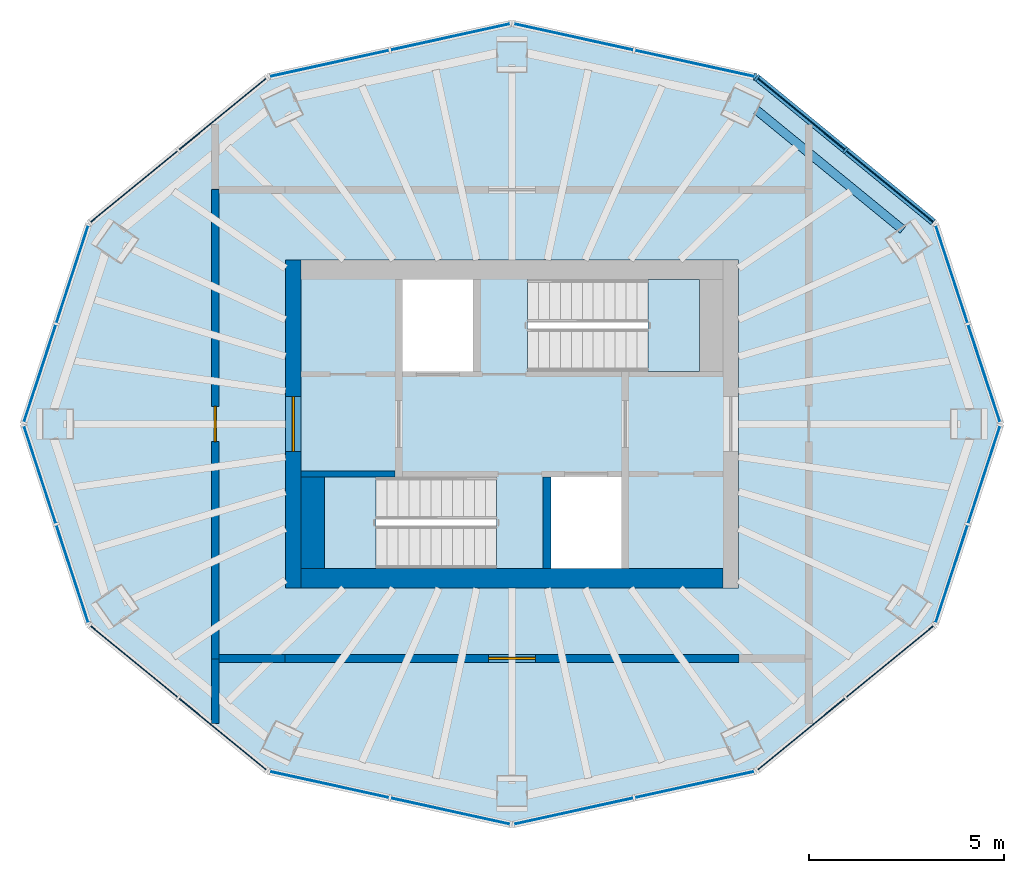
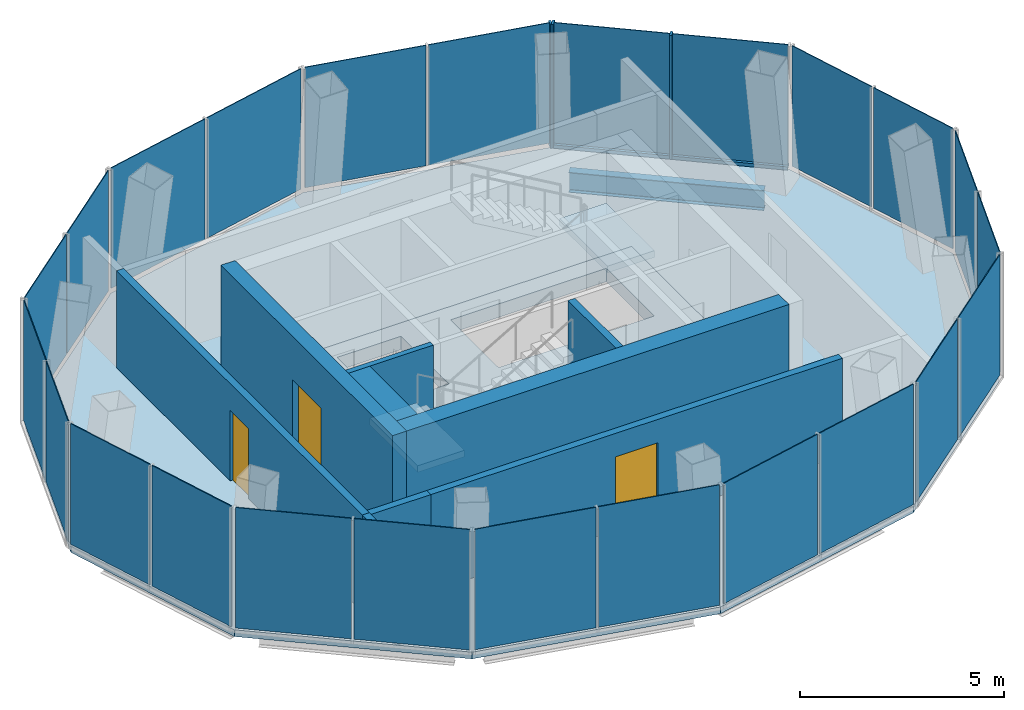
# One storey, part 3 of 5: 24 plates, 9 walls, 5 members, 4 slabs, 3 doors, 1 beam, 3 openings, 14 elements without a shape of their own.
"""IFC4 building model written with IfcOpenShell, lengths in metres."""

from ifc_helpers import new_model, si_unit, direction, frame, frame_2d, origin, origin_2d, place, context, subcontext, project, spatial, polyline, rectangle, i_section, outline, extrude, material, layer, layer_set, material_profile, profile_set, type_object, element, fill, aggregate, save


model = new_model("IFC4")

# Units and contexts
model_context = context("Model", 3, precision=1e-05, world=origin(), true_north=direction((0.0, 1.0)))
body_context = subcontext(model_context, "Body", "Model", "MODEL_VIEW")
ifc_project = project(units=[si_unit("LENGTHUNIT", "METRE"), si_unit("AREAUNIT", "SQUARE_METRE"), si_unit("VOLUMEUNIT", "CUBIC_METRE"), si_unit("PLANEANGLEUNIT", "RADIAN"), si_unit("MASSUNIT", "GRAM", prefix="KILO")], contexts=[model_context])

# Site, building, storey
site_placement = place(None, origin())
site = spatial("IfcSite", under=ifc_project, at=site_placement, CompositionType="ELEMENT")
building_placement = place(site_placement, origin())
building = spatial("IfcBuilding", under=site, at=building_placement, Name="Siaravel Broadcast Tower", CompositionType="ELEMENT")
storey_placement = place(building_placement, frame((0.0, 0.0, 276.5)))
storey = spatial("IfcBuildingStorey", under=building, at=storey_placement, Name="L67", CompositionType="ELEMENT", Elevation=276.5)

# Curtain wall, members
ifc_material_1 = material(Name="Aluminium 6063-T6", Category="aluminium")
ifc_layer_1 = layer(ifc_material_1, 0.179931640625)
ifc_layer_set_1 = layer_set([ifc_layer_1], Name="Aluminium 6063-T6")
curtain_wall_type = type_object("IfcCurtainWallType", Name="Crown glass facet wall", PredefinedType="NOTDEFINED", material=ifc_layer_set_1)
curtain_wall_1_placement = place(storey_placement, origin())
curtain_wall_1 = element("IfcCurtainWall", 1, at=curtain_wall_1_placement, inside=storey, type_object=curtain_wall_type, Name="L67 Crown glass facet wall 02", PredefinedType="NOTDEFINED")
ifc_material_profile_1 = material_profile(ifc_material_1, rectangle(XDim=0.179931640625, YDim=0.06005859375, at=origin_2d()))
ifc_profile_set_1 = profile_set([ifc_material_profile_1], Name="Aluminium 6063-T6")
member_type_1 = type_object("IfcMemberType", Name="CW-CR mullion", PredefinedType="MULLION", material=ifc_profile_set_1)
member_1_placement = place(storey_placement, frame((8.543212890625, 7.00927734375, 0.0), z_axis=(0.0, 0.0, 1.0), x_axis=(-0.6337126, -0.773568575, 0.0)))
member_1 = element("IfcMember", 2, at=member_1_placement, type_object=member_type_1, Name="CW-CR mullion 2", PredefinedType="MULLION", context=body_context, shape_type="SweptSolid", body=[
    extrude(rectangle(XDim=0.179931640625, YDim=0.06005859375, at=origin_2d()), origin(), (0.0, 0.0, 1.0), 3.699951171875),
])
member_2_placement = place(storey_placement, frame((6.27587890625, 8.86669921875, 0.0), z_axis=(0.0, 0.0, 1.0), x_axis=(-0.6337126, -0.773568575, 0.0)))
member_2 = element("IfcMember", 3, at=member_2_placement, type_object=member_type_1, Name="CW-CR mullion 3", PredefinedType="MULLION", context=body_context, shape_type="SweptSolid", body=[
    extrude(rectangle(XDim=0.179931640625, YDim=0.06005859375, at=origin_2d()), origin(), (0.0, 0.0, 1.0), 3.699951171875),
])

# Curtain wall, member
curtain_wall_2_placement = place(storey_placement, origin())
curtain_wall_2 = element("IfcCurtainWall", 4, at=curtain_wall_2_placement, inside=storey, type_object=curtain_wall_type, Name="L67 Crown glass facet wall 03", PredefinedType="NOTDEFINED")
member_3_placement = place(storey_placement, frame((6.223388671875, 8.89208984375, 0.0), z_axis=(0.0, 0.0, 1.0), x_axis=(-0.214394106, -0.976747238, 0.0)))
member_3 = element("IfcMember", 5, at=member_3_placement, type_object=member_type_1, Name="CW-CR mullion 1", PredefinedType="MULLION", context=body_context, shape_type="SweptSolid", body=[
    extrude(rectangle(XDim=0.179931640625, YDim=0.06005859375, at=origin_2d()), origin(), (0.0, 0.0, 1.0), 3.699951171875),
])

# Member
ifc_material_profile_2 = material_profile(ifc_material_1, rectangle(XDim=0.179931640625, YDim=0.10009765625, at=origin_2d()))
ifc_profile_set_2 = profile_set([ifc_material_profile_2], Name="Aluminium 6063-T6")
member_type_2 = type_object("IfcMemberType", Name="CW-CR transom", PredefinedType="USERDEFINED", material=ifc_profile_set_2)
member_4_placement = place(storey_placement, frame((10.787353515625, 5.1708984375, 0.050048828125), z_axis=(-0.773582074, 0.633696121, 0.0), x_axis=(-0.633696121, -0.773582074, 0.0)))
member_4 = element("IfcMember", 6, at=member_4_placement, type_object=member_type_2, Name="CW-CR transom 1", ObjectType="TRANSOM", PredefinedType="USERDEFINED", context=body_context, shape_type="SweptSolid", body=[
    extrude(rectangle(XDim=0.179931640625, YDim=0.10009765625, at=origin_2d()), origin(), (0.0, 0.0, 1.0), 2.87109375),
])

member_5_placement = place(storey_placement, frame((8.52001953125, 7.0283203125, 0.050048828125), z_axis=(-0.773582074, 0.633696121, 0.0), x_axis=(-0.633696121, -0.773582074, 0.0)))
member_5 = element("IfcMember", 7, at=member_5_placement, type_object=member_type_2, Name="CW-CR transom 2", ObjectType="TRANSOM", PredefinedType="USERDEFINED", context=body_context, shape_type="SweptSolid", body=[
    extrude(rectangle(XDim=0.179931640625, YDim=0.10009765625, at=origin_2d()), origin(), (0.0, 0.0, 1.0), 2.87109375),
])

# Beam
ifc_material_2 = material(Name="Steel S355", Category="steel")
ifc_material_profile_3 = material_profile(ifc_material_2, i_section(OverallWidth=0.2275390625, OverallDepth=0.6025390625, WebThickness=0.010498046875, FlangeThickness=0.014892578125, FilletRadius=0.0126953125, at=origin_2d()))
ifc_profile_set_3 = profile_set([ifc_material_profile_3], Name="Steel S355")
beam_type = type_object("IfcBeamType", Name="Crown ring beam UB 610x229x101", PredefinedType="SPANDREL", material=ifc_profile_set_3)
beam_placement = place(storey_placement, frame((10.009033203125, 4.97314453125, -0.501220703125), z_axis=(-0.774123525, 0.633034571, 0.0), x_axis=(-0.633034571, -0.774123525, 0.0)))
element("IfcBeam", 8, at=beam_placement, inside=storey, type_object=beam_type, Name="Crown ring beam 2-02", PredefinedType="SPANDREL", context=body_context, shape_type="SweptSolid", body=[
    extrude(i_section(OverallWidth=0.2275390625, OverallDepth=0.6025390625, WebThickness=0.010498046875, FlangeThickness=0.014892578125, FilletRadius=0.0126953125, at=origin_2d()), origin(), (0.0, 0.0, 1.0), 4.841552734375),
])

# Curtain wall, plates
curtain_wall_3_placement = place(storey_placement, origin())
curtain_wall_3 = element("IfcCurtainWall", 9, at=curtain_wall_3_placement, inside=storey, type_object=curtain_wall_type, Name="L67 Crown glass facet wall 01", PredefinedType="NOTDEFINED")
ifc_material_3 = material(Name="Low-iron laminated glass", Category="glass")
ifc_layer_2 = layer(ifc_material_3, 0.02392578125)
ifc_layer_set_2 = layer_set([ifc_layer_2], Name="Low-iron laminated glass")
plate_type = type_object("IfcPlateType", Name="CW-CR glass panel", PredefinedType="CURTAIN_PANEL", material=ifc_layer_set_2)
plate_1_placement = place(storey_placement, frame((12.088134765625, 1.297607421875, 0.099853515625), z_axis=(0.0, 0.0, 1.0), x_axis=(-0.310860089, 0.950455683, 0.0)))
plate_1 = element("IfcPlate", 10, at=plate_1_placement, type_object=plate_type, Name="CW-CR glass panel", PredefinedType="CURTAIN_PANEL", context=body_context, shape_type="SweptSolid", body=[
    extrude(rectangle(XDim=2.610107421875, YDim=0.02392578125, at=origin_2d()), origin(), (0.0, 0.0, 1.0), 3.60009765625),
])
plate_2_placement = place(storey_placement, frame((11.258056640625, 3.83544921875, 0.099853515625), z_axis=(0.0, 0.0, 1.0), x_axis=(-0.310860089, 0.950455683, 0.0)))
plate_2 = element("IfcPlate", 11, at=plate_2_placement, type_object=plate_type, Name="CW-CR glass panel", PredefinedType="CURTAIN_PANEL", context=body_context, shape_type="SweptSolid", body=[
    extrude(rectangle(XDim=2.610107421875, YDim=0.02392578125, at=origin_2d()), origin(), (0.0, 0.0, 1.0), 3.60009765625),
])
aggregate(curtain_wall_3, [plate_1, plate_2])

# Plate
plate_3_placement = place(storey_placement, frame((9.6767578125, 6.08056640625, 0.099853515625), z_axis=(0.0, 0.0, 1.0), x_axis=(-0.773568575, 0.6337126, 0.0)))
plate_3 = element("IfcPlate", 12, at=plate_3_placement, type_object=plate_type, Name="CW-CR glass panel", PredefinedType="CURTAIN_PANEL", context=body_context, shape_type="SweptSolid", body=[
    extrude(rectangle(XDim=2.87109375, YDim=0.02392578125, at=origin_2d()), origin(), (0.0, 0.0, 1.0), 3.60009765625),
])

plate_4_placement = place(storey_placement, frame((7.409423828125, 7.93798828125, 0.099853515625), z_axis=(0.0, 0.0, 1.0), x_axis=(-0.773568575, 0.6337126, 0.0)))
plate_4 = element("IfcPlate", 13, at=plate_4_placement, type_object=plate_type, Name="CW-CR glass panel", PredefinedType="CURTAIN_PANEL", context=body_context, shape_type="SweptSolid", body=[
    extrude(rectangle(XDim=2.87109375, YDim=0.02392578125, at=origin_2d()), origin(), (0.0, 0.0, 1.0), 3.60009765625),
])

aggregate(curtain_wall_1, [member_1, member_2, member_4, plate_3, member_5, plate_4])

plate_5_placement = place(storey_placement, frame((4.6748046875, 9.232177734375, 0.099853515625), z_axis=(0.0, 0.0, 1.0), x_axis=(-0.976747238, 0.214394106, 0.0)))
plate_5 = element("IfcPlate", 14, at=plate_5_placement, type_object=plate_type, Name="CW-CR glass panel", PredefinedType="CURTAIN_PANEL", context=body_context, shape_type="SweptSolid", body=[
    extrude(rectangle(XDim=3.110595703125, YDim=0.02392578125, at=origin_2d()), origin(), (0.0, 0.0, 1.0), 3.60009765625),
])

plate_6_placement = place(storey_placement, frame((1.577880859375, 9.911865234375, 0.099853515625), z_axis=(0.0, 0.0, 1.0), x_axis=(-0.976747238, 0.214394106, 0.0)))
plate_6 = element("IfcPlate", 15, at=plate_6_placement, type_object=plate_type, Name="CW-CR glass panel", PredefinedType="CURTAIN_PANEL", context=body_context, shape_type="SweptSolid", body=[
    extrude(rectangle(XDim=3.110595703125, YDim=0.02392578125, at=origin_2d()), origin(), (0.0, 0.0, 1.0), 3.60009765625),
])

aggregate(curtain_wall_2, [member_3, plate_5, plate_6])

# Curtain wall, plates
curtain_wall_4_placement = place(storey_placement, origin())
curtain_wall_4 = element("IfcCurtainWall", 16, at=curtain_wall_4_placement, inside=storey, type_object=curtain_wall_type, Name="L67 Crown glass facet wall 04", PredefinedType="NOTDEFINED")
plate_7_placement = place(storey_placement, frame((-1.577880859375, 9.911865234375, 0.099853515625), z_axis=(0.0, 0.0, 1.0), x_axis=(-0.976747238, -0.214394106, 0.0)))
plate_7 = element("IfcPlate", 17, at=plate_7_placement, type_object=plate_type, Name="CW-CR glass panel", PredefinedType="CURTAIN_PANEL", context=body_context, shape_type="SweptSolid", body=[
    extrude(rectangle(XDim=3.110595703125, YDim=0.02392578125, at=origin_2d()), origin(), (0.0, 0.0, 1.0), 3.60009765625),
])
plate_8_placement = place(storey_placement, frame((-4.6748046875, 9.232177734375, 0.099853515625), z_axis=(0.0, 0.0, 1.0), x_axis=(-0.976747238, -0.214394106, 0.0)))
plate_8 = element("IfcPlate", 18, at=plate_8_placement, type_object=plate_type, Name="CW-CR glass panel", PredefinedType="CURTAIN_PANEL", context=body_context, shape_type="SweptSolid", body=[
    extrude(rectangle(XDim=3.110595703125, YDim=0.02392578125, at=origin_2d()), origin(), (0.0, 0.0, 1.0), 3.60009765625),
])
aggregate(curtain_wall_4, [plate_7, plate_8])

curtain_wall_5_placement = place(storey_placement, origin())
curtain_wall_5 = element("IfcCurtainWall", 19, at=curtain_wall_5_placement, inside=storey, type_object=curtain_wall_type, Name="L67 Crown glass facet wall 05", PredefinedType="NOTDEFINED")
plate_9_placement = place(storey_placement, frame((-7.409423828125, 7.93798828125, 0.099853515625), z_axis=(0.0, 0.0, 1.0), x_axis=(-0.773568575, -0.6337126, 0.0)))
plate_9 = element("IfcPlate", 20, at=plate_9_placement, type_object=plate_type, Name="CW-CR glass panel", PredefinedType="CURTAIN_PANEL", context=body_context, shape_type="SweptSolid", body=[
    extrude(rectangle(XDim=2.87109375, YDim=0.02392578125, at=origin_2d()), origin(), (0.0, 0.0, 1.0), 3.60009765625),
])
plate_10_placement = place(storey_placement, frame((-9.6767578125, 6.08056640625, 0.099853515625), z_axis=(0.0, 0.0, 1.0), x_axis=(-0.773568575, -0.6337126, 0.0)))
plate_10 = element("IfcPlate", 21, at=plate_10_placement, type_object=plate_type, Name="CW-CR glass panel", PredefinedType="CURTAIN_PANEL", context=body_context, shape_type="SweptSolid", body=[
    extrude(rectangle(XDim=2.87109375, YDim=0.02392578125, at=origin_2d()), origin(), (0.0, 0.0, 1.0), 3.60009765625),
])
aggregate(curtain_wall_5, [plate_9, plate_10])

curtain_wall_6_placement = place(storey_placement, origin())
curtain_wall_6 = element("IfcCurtainWall", 22, at=curtain_wall_6_placement, inside=storey, type_object=curtain_wall_type, Name="L67 Crown glass facet wall 06", PredefinedType="NOTDEFINED")
plate_11_placement = place(storey_placement, frame((-11.258056640625, 3.83544921875, 0.099853515625), z_axis=(0.0, 0.0, 1.0), x_axis=(-0.310860089, -0.950455683, 0.0)))
plate_11 = element("IfcPlate", 23, at=plate_11_placement, type_object=plate_type, Name="CW-CR glass panel", PredefinedType="CURTAIN_PANEL", context=body_context, shape_type="SweptSolid", body=[
    extrude(rectangle(XDim=2.610107421875, YDim=0.02392578125, at=origin_2d()), origin(), (0.0, 0.0, 1.0), 3.60009765625),
])
plate_12_placement = place(storey_placement, frame((-12.088134765625, 1.297607421875, 0.099853515625), z_axis=(0.0, 0.0, 1.0), x_axis=(-0.310860089, -0.950455683, 0.0)))
plate_12 = element("IfcPlate", 24, at=plate_12_placement, type_object=plate_type, Name="CW-CR glass panel", PredefinedType="CURTAIN_PANEL", context=body_context, shape_type="SweptSolid", body=[
    extrude(rectangle(XDim=2.610107421875, YDim=0.02392578125, at=origin_2d()), origin(), (0.0, 0.0, 1.0), 3.60009765625),
])
aggregate(curtain_wall_6, [plate_11, plate_12])

curtain_wall_7_placement = place(storey_placement, origin())
curtain_wall_7 = element("IfcCurtainWall", 25, at=curtain_wall_7_placement, inside=storey, type_object=curtain_wall_type, Name="L67 Crown glass facet wall 07", PredefinedType="NOTDEFINED")
plate_13_placement = place(storey_placement, frame((-12.088134765625, -1.297607421875, 0.099853515625), z_axis=(0.0, 0.0, 1.0), x_axis=(0.310860089, -0.950455683, 0.0)))
plate_13 = element("IfcPlate", 26, at=plate_13_placement, type_object=plate_type, Name="CW-CR glass panel", PredefinedType="CURTAIN_PANEL", context=body_context, shape_type="SweptSolid", body=[
    extrude(rectangle(XDim=2.610107421875, YDim=0.02392578125, at=origin_2d()), origin(), (0.0, 0.0, 1.0), 3.60009765625),
])
plate_14_placement = place(storey_placement, frame((-11.258056640625, -3.83544921875, 0.099853515625), z_axis=(0.0, 0.0, 1.0), x_axis=(0.310860089, -0.950455683, 0.0)))
plate_14 = element("IfcPlate", 27, at=plate_14_placement, type_object=plate_type, Name="CW-CR glass panel", PredefinedType="CURTAIN_PANEL", context=body_context, shape_type="SweptSolid", body=[
    extrude(rectangle(XDim=2.610107421875, YDim=0.02392578125, at=origin_2d()), origin(), (0.0, 0.0, 1.0), 3.60009765625),
])
aggregate(curtain_wall_7, [plate_13, plate_14])

curtain_wall_8_placement = place(storey_placement, origin())
curtain_wall_8 = element("IfcCurtainWall", 28, at=curtain_wall_8_placement, inside=storey, type_object=curtain_wall_type, Name="L67 Crown glass facet wall 08", PredefinedType="NOTDEFINED")
plate_15_placement = place(storey_placement, frame((-9.6767578125, -6.08056640625, 0.099853515625), z_axis=(0.0, 0.0, 1.0), x_axis=(0.773568575, -0.6337126, 0.0)))
plate_15 = element("IfcPlate", 29, at=plate_15_placement, type_object=plate_type, Name="CW-CR glass panel", PredefinedType="CURTAIN_PANEL", context=body_context, shape_type="SweptSolid", body=[
    extrude(rectangle(XDim=2.87109375, YDim=0.02392578125, at=origin_2d()), origin(), (0.0, 0.0, 1.0), 3.60009765625),
])
plate_16_placement = place(storey_placement, frame((-7.409423828125, -7.93798828125, 0.099853515625), z_axis=(0.0, 0.0, 1.0), x_axis=(0.773568575, -0.6337126, 0.0)))
plate_16 = element("IfcPlate", 30, at=plate_16_placement, type_object=plate_type, Name="CW-CR glass panel", PredefinedType="CURTAIN_PANEL", context=body_context, shape_type="SweptSolid", body=[
    extrude(rectangle(XDim=2.87109375, YDim=0.02392578125, at=origin_2d()), origin(), (0.0, 0.0, 1.0), 3.60009765625),
])
aggregate(curtain_wall_8, [plate_15, plate_16])

curtain_wall_9_placement = place(storey_placement, origin())
curtain_wall_9 = element("IfcCurtainWall", 31, at=curtain_wall_9_placement, inside=storey, type_object=curtain_wall_type, Name="L67 Crown glass facet wall 09", PredefinedType="NOTDEFINED")
plate_17_placement = place(storey_placement, frame((-4.6748046875, -9.232177734375, 0.099853515625), z_axis=(0.0, 0.0, 1.0), x_axis=(0.976747238, -0.214394106, 0.0)))
plate_17 = element("IfcPlate", 32, at=plate_17_placement, type_object=plate_type, Name="CW-CR glass panel", PredefinedType="CURTAIN_PANEL", context=body_context, shape_type="SweptSolid", body=[
    extrude(rectangle(XDim=3.110595703125, YDim=0.02392578125, at=origin_2d()), origin(), (0.0, 0.0, 1.0), 3.60009765625),
])
plate_18_placement = place(storey_placement, frame((-1.577880859375, -9.911865234375, 0.099853515625), z_axis=(0.0, 0.0, 1.0), x_axis=(0.976747238, -0.214394106, 0.0)))
plate_18 = element("IfcPlate", 33, at=plate_18_placement, type_object=plate_type, Name="CW-CR glass panel", PredefinedType="CURTAIN_PANEL", context=body_context, shape_type="SweptSolid", body=[
    extrude(rectangle(XDim=3.110595703125, YDim=0.02392578125, at=origin_2d()), origin(), (0.0, 0.0, 1.0), 3.60009765625),
])
aggregate(curtain_wall_9, [plate_17, plate_18])

curtain_wall_10_placement = place(storey_placement, origin())
curtain_wall_10 = element("IfcCurtainWall", 34, at=curtain_wall_10_placement, inside=storey, type_object=curtain_wall_type, Name="L67 Crown glass facet wall 10", PredefinedType="NOTDEFINED")
plate_19_placement = place(storey_placement, frame((1.577880859375, -9.911865234375, 0.099853515625), z_axis=(0.0, 0.0, 1.0), x_axis=(0.976747238, 0.214394106, 0.0)))
plate_19 = element("IfcPlate", 35, at=plate_19_placement, type_object=plate_type, Name="CW-CR glass panel", PredefinedType="CURTAIN_PANEL", context=body_context, shape_type="SweptSolid", body=[
    extrude(rectangle(XDim=3.110595703125, YDim=0.02392578125, at=origin_2d()), origin(), (0.0, 0.0, 1.0), 3.60009765625),
])
plate_20_placement = place(storey_placement, frame((4.6748046875, -9.232177734375, 0.099853515625), z_axis=(0.0, 0.0, 1.0), x_axis=(0.976747238, 0.214394106, 0.0)))
plate_20 = element("IfcPlate", 36, at=plate_20_placement, type_object=plate_type, Name="CW-CR glass panel", PredefinedType="CURTAIN_PANEL", context=body_context, shape_type="SweptSolid", body=[
    extrude(rectangle(XDim=3.110595703125, YDim=0.02392578125, at=origin_2d()), origin(), (0.0, 0.0, 1.0), 3.60009765625),
])
aggregate(curtain_wall_10, [plate_19, plate_20])

curtain_wall_11_placement = place(storey_placement, origin())
curtain_wall_11 = element("IfcCurtainWall", 37, at=curtain_wall_11_placement, inside=storey, type_object=curtain_wall_type, Name="L67 Crown glass facet wall 11", PredefinedType="NOTDEFINED")
plate_21_placement = place(storey_placement, frame((7.409423828125, -7.93798828125, 0.099853515625), z_axis=(0.0, 0.0, 1.0), x_axis=(0.773568575, 0.6337126, 0.0)))
plate_21 = element("IfcPlate", 38, at=plate_21_placement, type_object=plate_type, Name="CW-CR glass panel", PredefinedType="CURTAIN_PANEL", context=body_context, shape_type="SweptSolid", body=[
    extrude(rectangle(XDim=2.87109375, YDim=0.02392578125, at=origin_2d()), origin(), (0.0, 0.0, 1.0), 3.60009765625),
])
plate_22_placement = place(storey_placement, frame((9.6767578125, -6.08056640625, 0.099853515625), z_axis=(0.0, 0.0, 1.0), x_axis=(0.773568575, 0.6337126, 0.0)))
plate_22 = element("IfcPlate", 39, at=plate_22_placement, type_object=plate_type, Name="CW-CR glass panel", PredefinedType="CURTAIN_PANEL", context=body_context, shape_type="SweptSolid", body=[
    extrude(rectangle(XDim=2.87109375, YDim=0.02392578125, at=origin_2d()), origin(), (0.0, 0.0, 1.0), 3.60009765625),
])
aggregate(curtain_wall_11, [plate_21, plate_22])

curtain_wall_12_placement = place(storey_placement, origin())
curtain_wall_12 = element("IfcCurtainWall", 40, at=curtain_wall_12_placement, inside=storey, type_object=curtain_wall_type, Name="L67 Crown glass facet wall 12", PredefinedType="NOTDEFINED")
plate_23_placement = place(storey_placement, frame((11.258056640625, -3.83544921875, 0.099853515625), z_axis=(0.0, 0.0, 1.0), x_axis=(0.310860089, 0.950455683, 0.0)))
plate_23 = element("IfcPlate", 41, at=plate_23_placement, type_object=plate_type, Name="CW-CR glass panel", PredefinedType="CURTAIN_PANEL", context=body_context, shape_type="SweptSolid", body=[
    extrude(rectangle(XDim=2.610107421875, YDim=0.02392578125, at=origin_2d()), origin(), (0.0, 0.0, 1.0), 3.60009765625),
])
plate_24_placement = place(storey_placement, frame((12.088134765625, -1.297607421875, 0.099853515625), z_axis=(0.0, 0.0, 1.0), x_axis=(0.310860089, 0.950455683, 0.0)))
plate_24 = element("IfcPlate", 42, at=plate_24_placement, type_object=plate_type, Name="CW-CR glass panel", PredefinedType="CURTAIN_PANEL", context=body_context, shape_type="SweptSolid", body=[
    extrude(rectangle(XDim=2.610107421875, YDim=0.02392578125, at=origin_2d()), origin(), (0.0, 0.0, 1.0), 3.60009765625),
])
aggregate(curtain_wall_12, [plate_23, plate_24])

# Slabs
ifc_material_4 = material(Name="Concrete C40/50", Category="concrete")
ifc_layer_3 = layer(ifc_material_4, 0.39990234375)
ifc_layer_set_3 = layer_set([ifc_layer_3], Name="Concrete C40/50")
slab_type_1 = type_object("IfcSlabType", Name="Core floor slab 400", PredefinedType="FLOOR", material=ifc_layer_set_3)
slab_1_placement = place(storey_placement, frame((0.0, 0.0, -0.39990234375)))
element("IfcSlab", 43, at=slab_1_placement, inside=storey, type_object=slab_type_1, Name="L67 core floor", PredefinedType="FLOOR", context=body_context, shape_type="SweptSolid", body=[
    extrude(outline(polyline([(-5.800048828125, -4.199951171875), (-5.800048828125, 4.199951171875), (5.800048828125, 4.199951171875), (5.800048828125, -4.199951171875), (-5.800048828125, -4.199951171875)]), holes=[polyline([(0.400390625, 3.699462890625), (0.400390625, 1.3505859375), (4.799560546875, 1.3505859375), (4.799560546875, 3.699462890625), (0.400390625, 3.699462890625)]), polyline([(1.0, -3.699951171875), (2.800048828125, -3.699951171875), (2.800048828125, -1.35009765625), (1.0, -1.35009765625), (1.0, -3.699951171875)]), polyline([(-0.400390625, -3.699462890625), (-0.400390625, -1.3505859375), (-4.799560546875, -1.3505859375), (-4.799560546875, -3.699462890625), (-0.400390625, -3.699462890625)]), polyline([(-2.800048828125, 1.35009765625), (-1.0, 1.35009765625), (-1.0, 3.699951171875), (-2.800048828125, 3.699951171875), (-2.800048828125, 1.35009765625)])]), origin(), (0.0, 0.0, 1.0), 0.39990234375),
])
ifc_layer_4 = layer(ifc_material_4, 0.199951171875)
ifc_layer_set_4 = layer_set([ifc_layer_4], Name="Concrete C40/50")
slab_type_2 = type_object("IfcSlabType", Name="SLB-FLOOR-200", PredefinedType="FLOOR", material=ifc_layer_set_4)
slab_2_placement = place(storey_placement, frame((0.0, 0.0, -0.199951171875)))
element("IfcSlab", 44, at=slab_2_placement, inside=storey, type_object=slab_type_2, Name="Floor slab", PredefinedType="FLOOR", context=body_context, shape_type="SweptSolid", body=[
    extrude(outline(polyline([(12.46240234375, 0.0), (10.792724609375, 5.10400390625), (6.231201171875, 8.840576171875), (0.0, 10.208251953125), (-6.231201171875, 8.840576171875), (-10.792724609375, 5.10400390625), (-12.46240234375, 0.0), (-10.792724609375, -5.10400390625), (-6.231201171875, -8.840576171875), (0.0, -10.208251953125), (6.231201171875, -8.840576171875), (10.792724609375, -5.10400390625), (12.46240234375, 0.0)]), holes=[polyline([(-5.800048828125, 4.199951171875), (5.800048828125, 4.199951171875), (5.800048828125, -4.199951171875), (-5.800048828125, -4.199951171875), (-5.800048828125, 4.199951171875)])]), origin(), (0.0, 0.0, 1.0), 0.199951171875),
])

# Stair, slab
stair_type = type_object("IfcStairType", Name="Core exit stair", PredefinedType="HALF_TURN_STAIR", material=ifc_material_4)
stair_1_placement = place(storey_placement, origin())
stair_1 = element("IfcStair", 45, at=stair_1_placement, inside=storey, type_object=stair_type, Name="L67 Exit stair ST-C1", PredefinedType="HALF_TURN_STAIR")
ifc_layer_5 = layer(ifc_material_4, 0.199951171875)
ifc_layer_set_5 = layer_set([ifc_layer_5], Name="Concrete C40/50")
slab_type_3 = type_object("IfcSlabType", Name="Stair landing", PredefinedType="LANDING", material=ifc_layer_set_5)
slab_3_placement = place(storey_placement, frame((0.0, 0.0, 1.75)))
slab_3 = element("IfcSlab", 46, at=slab_3_placement, type_object=slab_type_3, Name="ST-C1 landing 1", PredefinedType="LANDING", context=body_context, shape_type="SweptSolid", body=[
    extrude(outline(polyline([(3.47998046875, 1.35009765625), (4.800048828125, 1.35009765625), (4.800048828125, 3.699951171875), (3.47998046875, 3.699951171875), (3.47998046875, 1.35009765625)])), origin(), (0.0, 0.0, 1.0), 0.199951171875),
])
aggregate(stair_1, [slab_3])

stair_2_placement = place(storey_placement, origin())
stair_2 = element("IfcStair", 47, at=stair_2_placement, inside=storey, type_object=stair_type, Name="L67 Exit stair ST-C2", PredefinedType="HALF_TURN_STAIR")
slab_4_placement = place(storey_placement, frame((0.0, 0.0, 1.75)))
slab_4 = element("IfcSlab", 48, at=slab_4_placement, type_object=slab_type_3, Name="ST-C2 landing 1", PredefinedType="LANDING", context=body_context, shape_type="SweptSolid", body=[
    extrude(outline(polyline([(-3.47998046875, -1.35009765625), (-4.800048828125, -1.35009765625), (-4.800048828125, -3.699951171875), (-3.47998046875, -3.699951171875), (-3.47998046875, -1.35009765625)])), origin(), (0.0, 0.0, 1.0), 0.199951171875),
])
aggregate(stair_2, [slab_4])

# Wall, opening, door
ifc_material_5 = material(Name="Concrete C60/75", Category="concrete")
ifc_layer_6 = layer(ifc_material_5, 0.39990234375)
ifc_layer_set_6 = layer_set([ifc_layer_6], Name="Concrete C60/75")
wall_type_1 = type_object("IfcWallType", Name="Core wall 400", PredefinedType="SHEAR", material=ifc_layer_set_6)
wall_1_placement = place(storey_placement, frame((-5.60009765625, -4.199951171875, 0.0), z_axis=(0.0, 0.0, 1.0), x_axis=(0.0, 1.0, 0.0)))
wall_1 = element("IfcWall", 49, at=wall_1_placement, inside=storey, type_object=wall_type_1, Name="L67 core wall OW", PredefinedType="SHEAR", context=body_context, shape_type="SweptSolid", body=[
    extrude(rectangle(XDim=8.39990234375, YDim=0.39990234375, at=frame_2d((4.199951171875, 0.0))), origin(), (0.0, 0.0, 1.0), 3.5),
])
opening_1_placement = place(wall_1_placement, frame((3.5, 0.0, 0.0)))
opening_1 = element("IfcOpeningElement", 50, at=opening_1_placement, cuts=wall_1, Name="Opening L67-DX-W", PredefinedType="OPENING", context=body_context, shape_type="SweptSolid", body=[
    extrude(rectangle(XDim=1.39990234375, YDim=2.199951171875, at=frame_2d((0.699951171875, 1.10009765625))), frame((0.0, 0.2099609375, 0.0), z_axis=(0.0, -1.0, 0.0), x_axis=(1.0, 0.0, 0.0)), (0.0, 0.0, 1.0), 0.419921875),
])
ifc_material_6 = material(Name="Steel", Category="steel")
door_type_1 = type_object("IfcDoorType", Name="Core exit door 1400", OperationType="DOUBLE_DOOR_SINGLE_SWING", PredefinedType="DOOR", material=ifc_material_6)
door_1_placement = place(opening_1_placement, origin())
door_1 = element("IfcDoor", 51, at=door_1_placement, inside=storey, type_object=door_type_1, Name="L67 door DX-W", OperationType="DOUBLE_DOOR_SINGLE_SWING", OverallHeight=2.199951171875, OverallWidth=1.39990234375, PredefinedType="DOOR", context=body_context, shape_type="SweptSolid", body=[
    extrude(rectangle(XDim=1.39990234375, YDim=2.199951171875, at=frame_2d((0.699951171875, 1.10009765625))), frame((0.0, 0.02490234375, 0.0), z_axis=(0.0, -1.0, 0.0), x_axis=(1.0, 0.0, 0.0)), (0.0, 0.0, 1.0), 0.050048828125),
])
fill(opening_1, door_1)

# Wall
ifc_layer_7 = layer(ifc_material_5, 0.5)
ifc_layer_set_7 = layer_set([ifc_layer_7], Name="Concrete C60/75")
wall_type_2 = type_object("IfcWallType", Name="Core wall 500", PredefinedType="SHEAR", material=ifc_layer_set_7)
wall_2_placement = place(storey_placement, frame((-5.39990234375, -3.949951171875, 0.0), z_axis=(0.0, 0.0, 1.0), x_axis=(1.0, 0.0, 0.0)))
element("IfcWall", 52, at=wall_2_placement, inside=storey, type_object=wall_type_2, Name="L67 core wall OS", PredefinedType="SHEAR", context=body_context, shape_type="SweptSolid", body=[
    extrude(rectangle(XDim=10.7998046875, YDim=0.5, at=frame_2d((5.39990234375, 0.0))), origin(), (0.0, 0.0, 1.0), 3.5),
])

# Wall, opening, door
ifc_material_7 = material(Name="Concrete blockwork", Category="masonry")
ifc_layer_8 = layer(ifc_material_7, 0.199951171875)
ifc_layer_set_8 = layer_set([ifc_layer_8], Name="Concrete blockwork")
wall_type_3 = type_object("IfcWallType", Name="Plant room wall 200", PredefinedType="PARTITIONING", material=ifc_layer_set_8)
wall_3_placement = place(storey_placement, frame((-7.60009765625, 6.011962890625, 0.0), z_axis=(0.0, 0.0, 1.0), x_axis=(0.0, -1.0, 0.0)))
wall_3 = element("IfcWall", 53, at=wall_3_placement, inside=storey, type_object=wall_type_3, Name="L67 partition 1", PredefinedType="PARTITIONING", context=body_context, shape_type="SweptSolid", body=[
    extrude(rectangle(XDim=12.02392578125, YDim=0.199951171875, at=frame_2d((6.011962890625, 0.0))), origin(), (0.0, 0.0, 1.0), 2.89990234375),
])
opening_2_placement = place(wall_3_placement, frame((5.56201171875, 0.0, 0.0)))
opening_2 = element("IfcOpeningElement", 54, at=opening_2_placement, cuts=wall_3, Name="Opening L67-001", PredefinedType="OPENING", context=body_context, shape_type="SweptSolid", body=[
    extrude(rectangle(XDim=0.89990234375, YDim=2.10009765625, at=frame_2d((0.449951171875, 1.050048828125))), frame((0.0, 0.10986328125, 0.0), z_axis=(0.0, -1.0, 0.0), x_axis=(1.0, 0.0, 0.0)), (0.0, 0.0, 1.0), 0.219970703125),
])
door_type_2 = type_object("IfcDoorType", Name="Plant room door 900", OperationType="SINGLE_SWING_LEFT", PredefinedType="DOOR", material=ifc_material_6)
door_2_placement = place(opening_2_placement, origin())
door_2 = element("IfcDoor", 55, at=door_2_placement, inside=storey, type_object=door_type_2, Name="L67 door to Chilled water pump room", OperationType="SINGLE_SWING_LEFT", OverallHeight=2.10009765625, OverallWidth=0.89990234375, PredefinedType="DOOR", context=body_context, shape_type="SweptSolid", body=[
    extrude(rectangle(XDim=0.89990234375, YDim=2.10009765625, at=frame_2d((0.449951171875, 1.050048828125))), frame((0.0, 0.02490234375, 0.0), z_axis=(0.0, -1.0, 0.0), x_axis=(1.0, 0.0, 0.0)), (0.0, 0.0, 1.0), 0.050048828125),
])
fill(opening_2, door_2)

wall_4_placement = place(storey_placement, frame((-5.81201171875, -6.0, 0.0), z_axis=(0.0, 0.0, 1.0), x_axis=(1.0, 0.0, 0.0)))
wall_4 = element("IfcWall", 56, at=wall_4_placement, inside=storey, type_object=wall_type_3, Name="L67 partition 3", PredefinedType="PARTITIONING", context=body_context, shape_type="SweptSolid", body=[
    extrude(rectangle(XDim=11.6240234375, YDim=0.199951171875, at=frame_2d((5.81201171875, 0.0))), origin(), (0.0, 0.0, 1.0), 2.89990234375),
])
opening_3_placement = place(wall_4_placement, frame((5.2119140625, 0.0, 0.0)))
opening_3 = element("IfcOpeningElement", 57, at=opening_3_placement, cuts=wall_4, Name="Opening L67-004", PredefinedType="OPENING", context=body_context, shape_type="SweptSolid", body=[
    extrude(rectangle(XDim=1.199951171875, YDim=2.199951171875, at=frame_2d((0.60009765625, 1.10009765625))), frame((0.0, 0.10986328125, 0.0), z_axis=(0.0, -1.0, 0.0), x_axis=(1.0, 0.0, 0.0)), (0.0, 0.0, 1.0), 0.219970703125),
])
door_type_3 = type_object("IfcDoorType", Name="Plant room door 1200", OperationType="DOUBLE_DOOR_SINGLE_SWING", PredefinedType="DOOR", material=ifc_material_6)
door_3_placement = place(opening_3_placement, origin())
door_3 = element("IfcDoor", 58, at=door_3_placement, inside=storey, type_object=door_type_3, Name="L67 door to Telecoms room", OperationType="DOUBLE_DOOR_SINGLE_SWING", OverallHeight=2.199951171875, OverallWidth=1.199951171875, PredefinedType="DOOR", context=body_context, shape_type="SweptSolid", body=[
    extrude(rectangle(XDim=1.199951171875, YDim=2.199951171875, at=frame_2d((0.60009765625, 1.10009765625))), frame((0.0, 0.02490234375, 0.0), z_axis=(0.0, -1.0, 0.0), x_axis=(1.0, 0.0, 0.0)), (0.0, 0.0, 1.0), 0.050048828125),
])
fill(opening_3, door_3)

# Walls
wall_5_placement = place(storey_placement, frame((-7.498046875, -6.0, 0.0), z_axis=(0.0, 0.0, 1.0), x_axis=(1.0, 0.0, 0.0)))
element("IfcWall", 59, at=wall_5_placement, inside=storey, type_object=wall_type_3, Name="L67 partition 5", PredefinedType="PARTITIONING", context=body_context, shape_type="SweptSolid", body=[
    extrude(rectangle(XDim=1.68505859375, YDim=0.199951171875, at=frame_2d((0.842529296875, 0.0))), origin(), (0.0, 0.0, 1.0), 2.89990234375),
])
wall_6_placement = place(storey_placement, frame((-7.60009765625, -7.66943359375, 0.0), z_axis=(0.0, 0.0, 1.0), x_axis=(0.0, 1.0, 0.0)))
element("IfcWall", 60, at=wall_6_placement, inside=storey, type_object=wall_type_3, Name="L67 partition 9", PredefinedType="PARTITIONING", context=body_context, shape_type="SweptSolid", body=[
    extrude(rectangle(XDim=1.656494140625, YDim=0.199951171875, at=frame_2d((0.828125, 0.0))), origin(), (0.0, 0.0, 1.0), 2.89990234375),
])
ifc_layer_9 = layer(ifc_material_5, 0.14990234375)
ifc_layer_set_9 = layer_set([ifc_layer_9], Name="Concrete C60/75")
wall_type_4 = type_object("IfcWallType", Name="Shaft wall 150", PredefinedType="SHEAR", material=ifc_layer_set_9)
wall_7_placement = place(storey_placement, frame((-5.39990234375, -1.27490234375, 0.0), z_axis=(0.0, 0.0, 1.0), x_axis=(1.0, 0.0, 0.0)))
element("IfcWall", 61, at=wall_7_placement, inside=storey, type_object=wall_type_4, Name="L67 core wall CSW", PredefinedType="SHEAR", context=body_context, shape_type="SweptSolid", body=[
    extrude(rectangle(XDim=2.39990234375, YDim=0.14990234375, at=frame_2d((1.199951171875, 0.0))), origin(), (0.0, 0.0, 1.0), 3.5),
])
ifc_layer_10 = layer(ifc_material_5, 0.199951171875)
ifc_layer_set_10 = layer_set([ifc_layer_10], Name="Concrete C60/75")
wall_type_5 = type_object("IfcWallType", Name="Shaft wall 200", PredefinedType="SHEAR", material=ifc_layer_set_10)
wall_8_placement = place(storey_placement, frame((0.89990234375, -3.699951171875, 0.0), z_axis=(0.0, 0.0, 1.0), x_axis=(0.0, 1.0, 0.0)))
element("IfcWall", 62, at=wall_8_placement, inside=storey, type_object=wall_type_5, Name="L67 core wall FF2W", PredefinedType="SHEAR", context=body_context, shape_type="SweptSolid", body=[
    extrude(rectangle(XDim=2.349853515625, YDim=0.199951171875, at=frame_2d((1.1748046875, 0.0))), origin(), (0.0, 0.0, 1.0), 3.5),
])
ifc_layer_11 = layer(ifc_material_5, 0.60009765625)
ifc_layer_set_11 = layer_set([ifc_layer_11], Name="Concrete C60/75")
wall_type_6 = type_object("IfcWallType", Name="Shaft wall 600", PredefinedType="SHEAR", material=ifc_layer_set_11)
wall_9_placement = place(storey_placement, frame((-5.10009765625, -3.699951171875, 0.0), z_axis=(0.0, 0.0, 1.0), x_axis=(0.0, 1.0, 0.0)))
element("IfcWall", 63, at=wall_9_placement, inside=storey, type_object=wall_type_6, Name="L67 core wall STCW", PredefinedType="SHEAR", context=body_context, shape_type="SweptSolid", body=[
    extrude(rectangle(XDim=2.349853515625, YDim=0.60009765625, at=frame_2d((1.1748046875, 0.0))), origin(), (0.0, 0.0, 1.0), 3.5),
])

save(model, "model.ifc")
